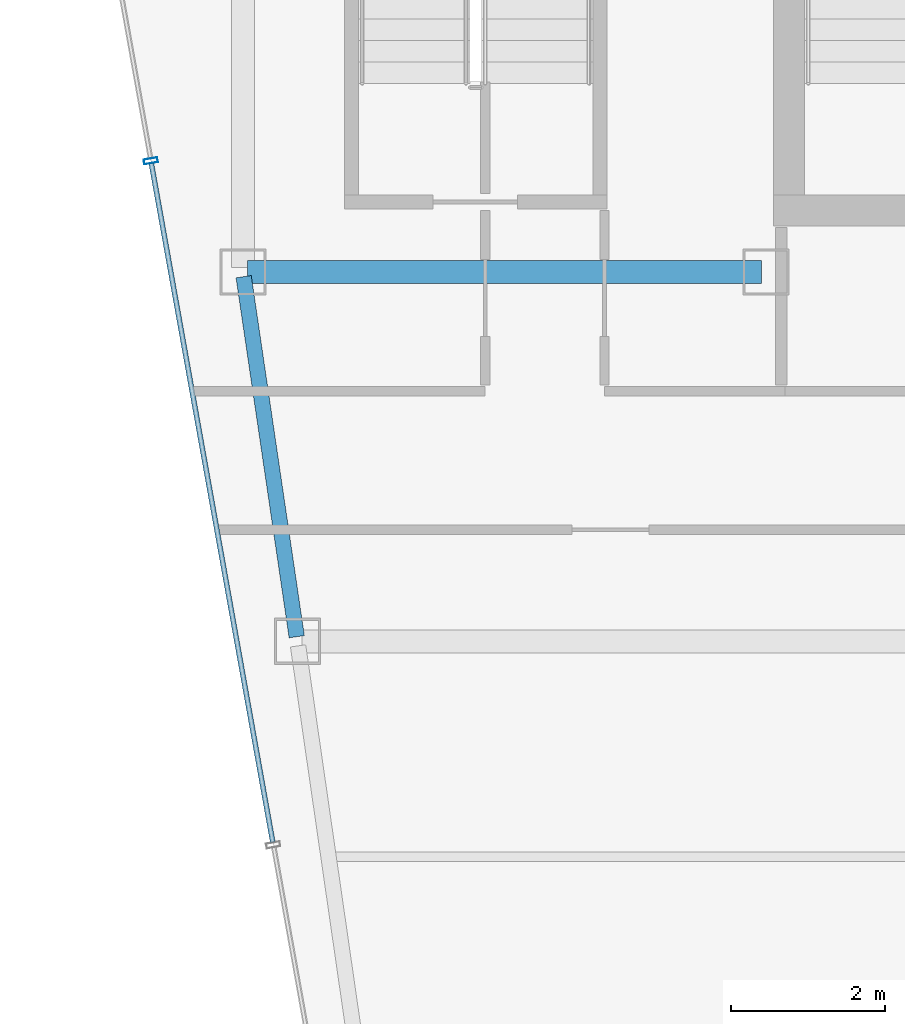
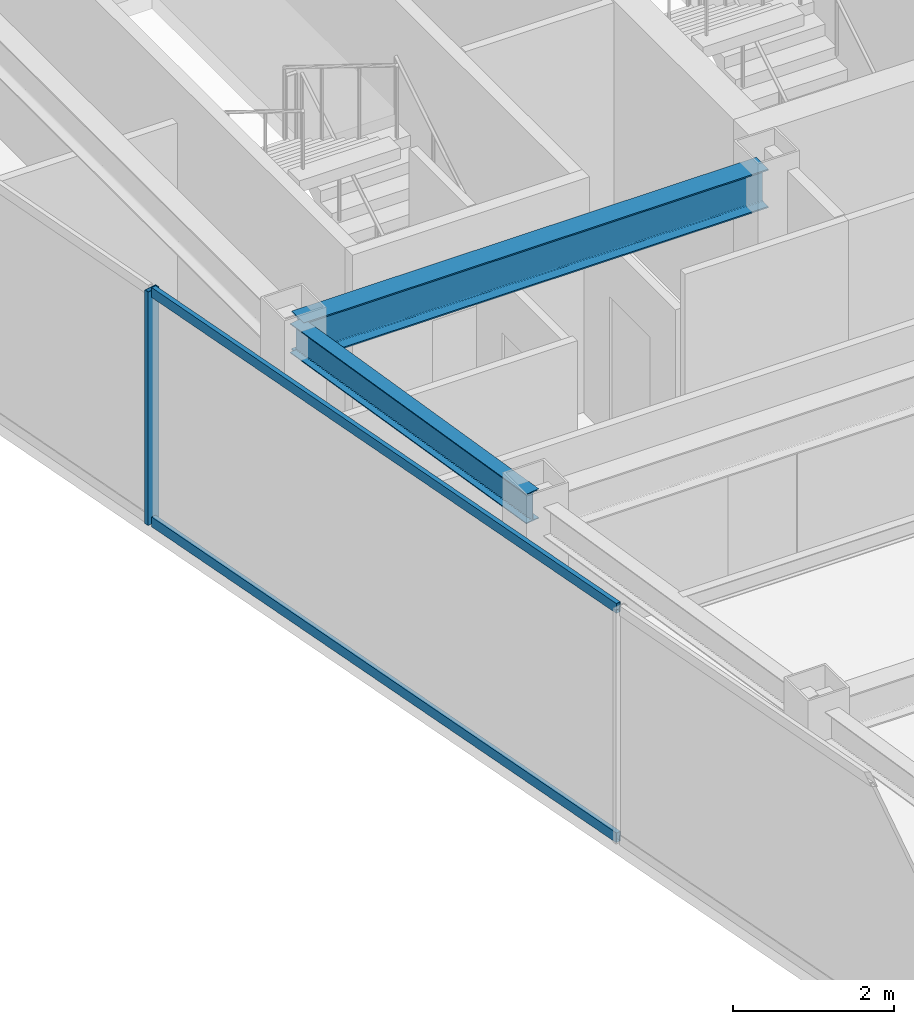
# One storey, part 9 of 32: 3 members, 2 beams, 1 element without a shape of its own.
"""IFC4 building model written with IfcOpenShell, lengths in metres."""

from ifc_helpers import new_model, si_unit, direction, frame, origin, origin_2d, place, context, subcontext, project, spatial, hollow_rectangle, i_section, extrude, material, material_profile, profile_set, type_object, element, aggregate, save


model = new_model("IFC4")

# Units and contexts
model_context = context("Model", 3, precision=1e-05, world=origin(), true_north=direction((0.0, 1.0)))
body_context = subcontext(model_context, "Body", "Model", "MODEL_VIEW")
ifc_project = project(units=[si_unit("LENGTHUNIT", "METRE"), si_unit("AREAUNIT", "SQUARE_METRE"), si_unit("VOLUMEUNIT", "CUBIC_METRE"), si_unit("PLANEANGLEUNIT", "RADIAN"), si_unit("MASSUNIT", "GRAM", prefix="KILO")], contexts=[model_context])

# Site, building, storey
site_placement = place(None, origin())
site = spatial("IfcSite", under=ifc_project, at=site_placement, CompositionType="ELEMENT")
building_placement = place(site_placement, origin())
building = spatial("IfcBuilding", under=site, at=building_placement, Name="Saevonmaru Cultural Tower", CompositionType="ELEMENT")
storey_placement = place(building_placement, frame((0.0, 0.0, 261.0)))
storey = spatial("IfcBuildingStorey", under=building, at=storey_placement, Name="L61", CompositionType="ELEMENT", Elevation=261.0)

# Beams
ifc_material_1 = material(Name="Steel SM355", Category="steel")
ifc_material_profile_1 = material_profile(ifc_material_1, i_section(OverallWidth=0.300048828125, OverallDepth=0.587890625, WebThickness=0.011962890625, FlangeThickness=0.02001953125, FilletRadius=0.02392578125, at=origin_2d()), Name="H-588x300x12x20")
ifc_profile_set_1 = profile_set([ifc_material_profile_1], Name="Steel SM355")
beam_type_1 = type_object("IfcBeamType", Name="BM-G-H588", PredefinedType="BEAM", material=ifc_profile_set_1)
beam_1_placement = place(storey_placement, frame((6.860107421875, 42.39990234375, 3.256103515625), z_axis=(1.0, 0.0, 0.0), x_axis=(0.0, 1.0, 0.0)))
element("IfcBeam", 1, at=beam_1_placement, inside=storey, type_object=beam_type_1, Name="L61 Core South Girder 1", PredefinedType="BEAM", context=body_context, shape_type="SweptSolid", body=[
    extrude(i_section(OverallWidth=0.300048828125, OverallDepth=0.587890625, WebThickness=0.011962890625, FlangeThickness=0.02001953125, FilletRadius=0.02392578125, at=origin_2d()), origin(), (0.0, 0.0, 1.0), 6.679931640625),
])
ifc_material_profile_2 = material_profile(ifc_material_1, i_section(OverallWidth=0.199951171875, OverallDepth=0.449951171875, WebThickness=0.009033203125, FlangeThickness=0.013916015625, FilletRadius=0.01806640625, at=origin_2d()), Name="H-450x200x9x14")
ifc_profile_set_2 = profile_set([ifc_material_profile_2], Name="Steel SM355")
beam_type_2 = type_object("IfcBeamType", Name="BM-SP-H450", PredefinedType="SPANDREL", material=ifc_profile_set_2)
beam_2_placement = place(storey_placement, frame((7.499267578125, 37.659423828125, 3.324951171875), z_axis=(-0.145912860028, 0.989297446312, 0.0), x_axis=(-0.989297446312, -0.145912860028, 0.0)))
element("IfcBeam", 2, at=beam_2_placement, inside=storey, type_object=beam_type_2, Name="L61 West Splayed Spandrel 3", PredefinedType="SPANDREL", context=body_context, shape_type="SweptSolid", body=[
    extrude(i_section(OverallWidth=0.199951171875, OverallDepth=0.449951171875, WebThickness=0.009033203125, FlangeThickness=0.013916015625, FilletRadius=0.01806640625, at=origin_2d()), origin(), (0.0, 0.0, 1.0), 4.731689453125),
])

# Curtain wall, members
ifc_material_2 = material(Name="Satin Bronze Anodised Aluminium", Category="aluminium")
curtain_wall_type = type_object("IfcCurtainWallType", Name="CW-TYP-B", PredefinedType="NOTDEFINED", material=ifc_material_2)
curtain_wall_placement = place(storey_placement, origin())
curtain_wall = element("IfcCurtainWall", 3, at=curtain_wall_placement, inside=storey, type_object=curtain_wall_type, Name="L61 Unitised Curtain Wall E12", PredefinedType="NOTDEFINED")
ifc_material_profile_3 = material_profile(ifc_material_2, hollow_rectangle(XDim=0.06494140625, YDim=0.179931640625, WallThickness=0.00390625, at=origin_2d()), Name="ALU-MULL-180x65x4")
ifc_profile_set_3 = profile_set([ifc_material_profile_3], Name="Satin Bronze Anodised Aluminium")
member_type_1 = type_object("IfcMemberType", Name="ML-CW-180x65", PredefinedType="MULLION", material=ifc_profile_set_3)
member_1_placement = place(storey_placement, frame((5.60205078125, 43.846923828125, 0.0), z_axis=(0.0, 0.0, 1.0), x_axis=(0.176140740755, -0.984364993001, 0.0)))
member_1 = element("IfcMember", 4, at=member_1_placement, type_object=member_type_1, Name="CW-TW-L61-E12 mullion 2", PredefinedType="MULLION", context=body_context, shape_type="SweptSolid", body=[
    extrude(hollow_rectangle(XDim=0.06494140625, YDim=0.179931640625, WallThickness=0.00390625, at=origin_2d()), origin(), (0.0, 0.0, 1.0), 3.550048828125),
])
ifc_material_profile_4 = material_profile(ifc_material_2, hollow_rectangle(XDim=0.06494140625, YDim=0.14990234375, WallThickness=0.00390625, at=origin_2d()), Name="ALU-TRAN-150x65x4")
ifc_profile_set_4 = profile_set([ifc_material_profile_4], Name="Satin Bronze Anodised Aluminium")
member_type_2 = type_object("IfcMemberType", Name="TR-CW-150x65", PredefinedType="USERDEFINED", material=ifc_profile_set_4)
member_2_placement = place(storey_placement, frame((5.60791015625, 43.81494140625, 0.032470703125), z_axis=(0.176123157264, -0.984368139202, 0.0), x_axis=(0.984368139202, 0.176123157264, 0.0)))
member_2 = element("IfcMember", 5, at=member_2_placement, type_object=member_type_2, Name="CW-TW-L61-E12 transom 2.1", ObjectType="TRANSOM", PredefinedType="USERDEFINED", context=body_context, shape_type="SweptSolid", body=[
    extrude(hollow_rectangle(XDim=0.06494140625, YDim=0.14990234375, WallThickness=0.00390625, at=origin_2d()), origin(), (0.0, 0.0, 1.0), 8.969970703125),
])
member_3_placement = place(storey_placement, frame((5.60791015625, 43.81494140625, 3.517578125), z_axis=(0.176123157264, -0.984368139202, 0.0), x_axis=(0.984368139202, 0.176123157264, 0.0)))
member_3 = element("IfcMember", 6, at=member_3_placement, type_object=member_type_2, Name="CW-TW-L61-E12 transom 2.2", ObjectType="TRANSOM", PredefinedType="USERDEFINED", context=body_context, shape_type="SweptSolid", body=[
    extrude(hollow_rectangle(XDim=0.06494140625, YDim=0.14990234375, WallThickness=0.00390625, at=origin_2d()), origin(), (0.0, 0.0, 1.0), 8.969970703125),
])
aggregate(curtain_wall, [member_1, member_2, member_3])

save(model, "model.ifc")
